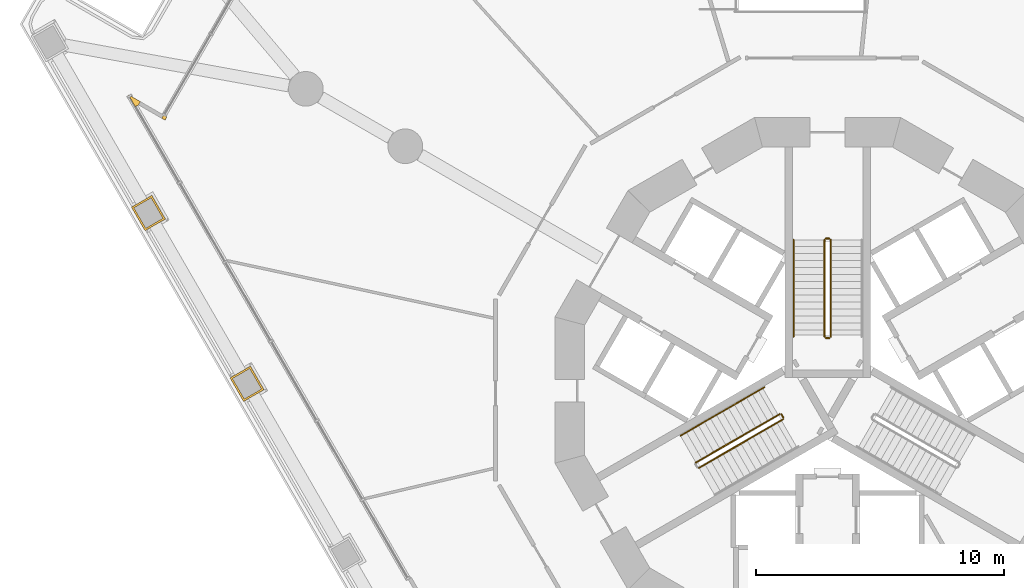
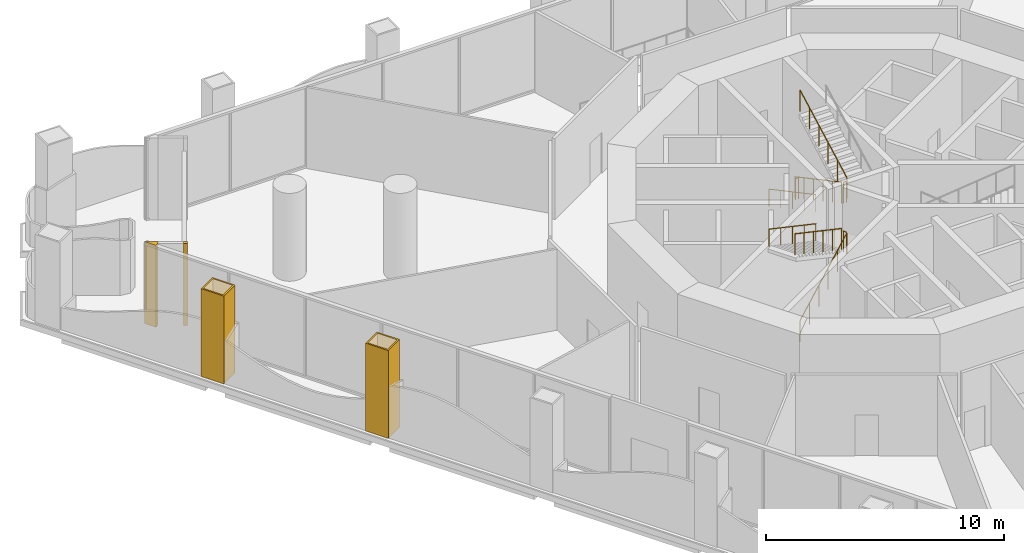
# One storey, part 18 of 21: 10 railings, 4 coverings.
"""IFC4 building model written with IfcOpenShell, lengths in metres."""

from ifc_helpers import new_model, si_unit, direction, frame, origin, origin_2d, place, context, subcontext, project, spatial, polyline, circle, outline, extrude, material, layer, layer_set, type_object, element, save


model = new_model("IFC4")

# Units and contexts
model_context = context("Model", 3, precision=1e-05, world=origin(), true_north=direction((0.0, 1.0)))
body_context = subcontext(model_context, "Body", "Model", "MODEL_VIEW")
ifc_project = project(units=[si_unit("LENGTHUNIT", "METRE"), si_unit("AREAUNIT", "SQUARE_METRE"), si_unit("VOLUMEUNIT", "CUBIC_METRE"), si_unit("PLANEANGLEUNIT", "RADIAN"), si_unit("MASSUNIT", "GRAM", prefix="KILO")], contexts=[model_context])

# Site, building, storey
site_placement = place(None, origin())
site = spatial("IfcSite", under=ifc_project, at=site_placement, CompositionType="ELEMENT")
building_placement = place(site_placement, origin())
building = spatial("IfcBuilding", under=site, at=building_placement, Name="Trine Commons Tower", CompositionType="ELEMENT")
storey_placement = place(building_placement, frame((0.0, 0.0, 27.0)))
storey = spatial("IfcBuildingStorey", under=building, at=storey_placement, Name="L05", CompositionType="ELEMENT", Elevation=27.0)

# Coverings
ifc_material_1 = material(Name="Aluminium-framed insulated wall panel", Category="aluminium")
ifc_layer_1 = layer(ifc_material_1, 0.14990234375)
ifc_layer_set_1 = layer_set([ifc_layer_1], Name="Aluminium-framed insulated wall panel")
covering_type_1 = type_object("IfcCoveringType", Name="Glazing corner post, aluminium", PredefinedType="CLADDING", material=ifc_layer_set_1)
covering_1_placement = place(storey_placement, origin())
element("IfcCovering", 1, at=covering_1_placement, inside=storey, type_object=covering_type_1, Name="Glazing corner post 1-01", PredefinedType="CLADDING", context=body_context, shape_type="SweptSolid", body=[
    extrude(outline(polyline([(51.75634765625, 74.43017578125), (51.75634765625, 74.43017578125), (52.036376953125, 73.9453125), (52.166259765625, 74.020263671875), (52.166259765625, 74.020263671875), (52.166259765625, 74.020263671875), (52.166259765625, 74.020263671875), (52.2412109375, 74.150146484375), (51.75634765625, 74.43017578125)])), origin(), (0.0, 0.0, 1.0), 4.199951171875),
])
covering_2_placement = place(storey_placement, origin())
element("IfcCovering", 2, at=covering_2_placement, inside=storey, type_object=covering_type_1, Name="Glazing corner post 1-02", PredefinedType="CLADDING", context=body_context, shape_type="SweptSolid", body=[
    extrude(outline(polyline([(53.1064453125, 73.4775390625), (53.236328125, 73.402587890625), (53.311279296875, 73.532470703125), (53.181396484375, 73.607421875), (53.1064453125, 73.4775390625)])), origin(), (0.0, 0.0, 1.0), 4.199951171875),
])
ifc_material_2 = material(Name="Limestone, honed", Category="masonry")
ifc_layer_2 = layer(ifc_material_2, 0.074951171875)
ifc_layer_set_2 = layer_set([ifc_layer_2], Name="Limestone, honed")
covering_type_2 = type_object("IfcCoveringType", Name="Limestone column cladding 75", PredefinedType="CLADDING", material=ifc_layer_set_2)
covering_3_placement = place(storey_placement, origin())
element("IfcCovering", 3, at=covering_3_placement, inside=storey, type_object=covering_type_2, Name="Limestone pier cladding 1-06", PredefinedType="CLADDING", context=body_context, shape_type="SweptSolid", body=[
    extrude(outline(polyline([(56.68359375, 63.46630859375), (55.860595703125, 62.9912109375), (56.41064453125, 62.03857421875), (57.2333984375, 62.513671875), (56.68359375, 63.46630859375)]), holes=[polyline([(56.656005859375, 63.36376953125), (55.963134765625, 62.9638671875), (56.438232421875, 62.14111328125), (57.131103515625, 62.541015625), (56.656005859375, 63.36376953125)])]), origin(), (0.0, 0.0, 1.0), 4.5),
])
covering_4_placement = place(storey_placement, origin())
element("IfcCovering", 4, at=covering_4_placement, inside=storey, type_object=covering_type_2, Name="Limestone pier cladding 1-07", PredefinedType="CLADDING", context=body_context, shape_type="SweptSolid", body=[
    extrude(outline(polyline([(52.701904296875, 70.36279296875), (51.87890625, 69.8876953125), (52.428955078125, 68.93505859375), (53.251708984375, 69.41015625), (52.701904296875, 70.36279296875)]), holes=[polyline([(52.67431640625, 70.26025390625), (51.9814453125, 69.8603515625), (52.45654296875, 69.03759765625), (53.1494140625, 69.4375), (52.67431640625, 70.26025390625)])]), origin(), (0.0, 0.0, 1.0), 4.5),
])

# Railings
ifc_material_3 = material(Name="Stainless steel balustrade", Category="steel")
railing_type_1 = type_object("IfcRailingType", Name="Stair guard, steel balustrade 1100", PredefinedType="GUARDRAIL", material=ifc_material_3)
railing_1_placement = place(storey_placement, frame((79.875, 68.570556640625, 0.14990234375)))
element("IfcRailing", 5, at=railing_1_placement, inside=storey, type_object=railing_type_1, Name="L05 ST1A stair guard 1", PredefinedType="GUARDRAIL", context=body_context, shape_type="SweptSolid", body=[
    extrude(circle(Radius=0.02392578125, at=origin_2d()), frame((0.0, 0.0, 1.076171875), z_axis=(0.0, -0.881466911329, 0.472245787945), x_axis=(1.0, 0.0, 0.0)), (0.0, 0.0, 1.0), 4.447021484375),
    extrude(circle(Radius=0.02099609375, at=origin_2d()), origin(), (0.0, 0.0, 1.0), 1.052001953125),
    extrude(circle(Radius=0.02099609375, at=origin_2d()), frame((0.0, -0.783935546875, 0.419921875)), (0.0, 0.0, 1.0), 1.052001953125),
    extrude(circle(Radius=0.02099609375, at=origin_2d()), frame((0.0, -1.56787109375, 0.840087890625)), (0.0, 0.0, 1.0), 1.052001953125),
    extrude(circle(Radius=0.02099609375, at=origin_2d()), frame((0.0, -2.35205078125, 1.260009765625)), (0.0, 0.0, 1.0), 1.052001953125),
    extrude(circle(Radius=0.02099609375, at=origin_2d()), frame((0.0, -3.135986328125, 1.68017578125)), (0.0, 0.0, 1.0), 1.052001953125),
    extrude(circle(Radius=0.02099609375, at=origin_2d()), frame((0.0, -3.919921875, 2.10009765625)), (0.0, 0.0, 1.0), 1.052001953125),
])
railing_2_placement = place(storey_placement, frame((79.925048828125, 64.6005859375, 2.25)))
element("IfcRailing", 6, at=railing_2_placement, inside=storey, type_object=railing_type_1, Name="L05 ST1A stair guard 2", PredefinedType="GUARDRAIL", context=body_context, shape_type="SweptSolid", body=[
    extrude(circle(Radius=0.02392578125, at=origin_2d()), frame((0.0, 0.0, 1.076171875), z_axis=(1.0, 0.0, 0.0), x_axis=(0.0, 1.0, 0.0)), (0.0, 0.0, 1.0), 0.14990234375),
    extrude(circle(Radius=0.02099609375, at=origin_2d()), origin(), (0.0, 0.0, 1.0), 1.052001953125),
    extrude(circle(Radius=0.02099609375, at=origin_2d()), frame((0.14990234375, 0.0, 0.0)), (0.0, 0.0, 1.0), 1.052001953125),
])
railing_3_placement = place(storey_placement, frame((80.125, 64.650634765625, 2.39990234375)))
element("IfcRailing", 7, at=railing_3_placement, inside=storey, type_object=railing_type_1, Name="L05 ST1A stair guard 3", PredefinedType="GUARDRAIL", context=body_context, shape_type="SweptSolid", body=[
    extrude(circle(Radius=0.02392578125, at=origin_2d()), frame((0.0, 0.0, 1.076171875), z_axis=(0.0, 0.881466911329, 0.472245787945), x_axis=(-1.0, 0.0, 0.0)), (0.0, 0.0, 1.0), 4.447021484375),
    extrude(circle(Radius=0.02099609375, at=origin_2d()), origin(), (0.0, 0.0, 1.0), 1.052001953125),
    extrude(circle(Radius=0.02099609375, at=origin_2d()), frame((0.0, 0.783935546875, 0.419921875)), (0.0, 0.0, 1.0), 1.052001953125),
    extrude(circle(Radius=0.02099609375, at=origin_2d()), frame((0.0, 1.56787109375, 0.840087890625)), (0.0, 0.0, 1.0), 1.052001953125),
    extrude(circle(Radius=0.02099609375, at=origin_2d()), frame((0.0, 2.35205078125, 1.260009765625)), (0.0, 0.0, 1.0), 1.052001953125),
    extrude(circle(Radius=0.02099609375, at=origin_2d()), frame((0.0, 3.135986328125, 1.68017578125)), (0.0, 0.0, 1.0), 1.052001953125),
    extrude(circle(Radius=0.02099609375, at=origin_2d()), frame((0.0, 3.919921875, 2.10009765625)), (0.0, 0.0, 1.0), 1.052001953125),
])
railing_4_placement = place(storey_placement, frame((79.925048828125, 68.62060546875, 0.0)))
element("IfcRailing", 8, at=railing_4_placement, inside=storey, type_object=railing_type_1, Name="L05 ST1A stair guard 4", PredefinedType="GUARDRAIL", context=body_context, shape_type="SweptSolid", body=[
    extrude(circle(Radius=0.02392578125, at=origin_2d()), frame((0.0, 0.0, 1.076171875), z_axis=(1.0, 0.0, 0.0), x_axis=(0.0, 1.0, 0.0)), (0.0, 0.0, 1.0), 0.14990234375),
    extrude(circle(Radius=0.02099609375, at=origin_2d()), origin(), (0.0, 0.0, 1.0), 1.052001953125),
    extrude(circle(Radius=0.02099609375, at=origin_2d()), frame((0.14990234375, 0.0, 0.0)), (0.0, 0.0, 1.0), 1.052001953125),
])
railing_5_placement = place(storey_placement, frame((74.80517578125, 59.3564453125, 0.14990234375)))
element("IfcRailing", 9, at=railing_5_placement, inside=storey, type_object=railing_type_1, Name="L05 ST2A stair guard 1", PredefinedType="GUARDRAIL", context=body_context, shape_type="SweptSolid", body=[
    extrude(circle(Radius=0.02392578125, at=origin_2d()), frame((0.0, 0.0, 1.076171875), z_axis=(0.763374939589, 0.440731680332, 0.472243885677), x_axis=(-0.499997407846, 0.86602690036, 0.0)), (0.0, 0.0, 1.0), 4.447021484375),
    extrude(circle(Radius=0.02099609375, at=origin_2d()), origin(), (0.0, 0.0, 1.0), 1.052001953125),
    extrude(circle(Radius=0.02099609375, at=origin_2d()), frame((0.678955078125, 0.39208984375, 0.419921875)), (0.0, 0.0, 1.0), 1.052001953125),
    extrude(circle(Radius=0.02099609375, at=origin_2d()), frame((1.35791015625, 0.783935546875, 0.840087890625)), (0.0, 0.0, 1.0), 1.052001953125),
    extrude(circle(Radius=0.02099609375, at=origin_2d()), frame((2.036865234375, 1.176025390625, 1.260009765625)), (0.0, 0.0, 1.0), 1.052001953125),
    extrude(circle(Radius=0.02099609375, at=origin_2d()), frame((2.7158203125, 1.56787109375, 1.68017578125)), (0.0, 0.0, 1.0), 1.052001953125),
    extrude(circle(Radius=0.02099609375, at=origin_2d()), frame((3.394775390625, 1.9599609375, 2.10009765625)), (0.0, 0.0, 1.0), 1.052001953125),
])
railing_6_placement = place(storey_placement, frame((78.21826171875, 61.384765625, 2.25)))
element("IfcRailing", 10, at=railing_6_placement, inside=storey, type_object=railing_type_1, Name="L05 ST2A stair guard 2", PredefinedType="GUARDRAIL", context=body_context, shape_type="SweptSolid", body=[
    extrude(circle(Radius=0.02392578125, at=origin_2d()), frame((0.0, 0.0, 1.076171875), z_axis=(-0.499816412211, 0.866131372301, 0.0), x_axis=(-0.866131372301, -0.499816412211, 0.0)), (0.0, 0.0, 1.0), 0.14990234375),
    extrude(circle(Radius=0.02099609375, at=origin_2d()), origin(), (0.0, 0.0, 1.0), 1.052001953125),
    extrude(circle(Radius=0.02099609375, at=origin_2d()), frame((-0.074951171875, 0.1298828125, 0.0)), (0.0, 0.0, 1.0), 1.052001953125),
])
railing_7_placement = place(storey_placement, frame((78.074951171875, 61.532958984375, 2.39990234375)))
element("IfcRailing", 11, at=railing_7_placement, inside=storey, type_object=railing_type_1, Name="L05 ST2A stair guard 3", PredefinedType="GUARDRAIL", context=body_context, shape_type="SweptSolid", body=[
    extrude(circle(Radius=0.02392578125, at=origin_2d()), frame((0.0, 0.0, 1.076171875), z_axis=(-0.763374939589, -0.440731680332, 0.472243885677), x_axis=(0.499997407846, -0.86602690036, 0.0)), (0.0, 0.0, 1.0), 4.447021484375),
    extrude(circle(Radius=0.02099609375, at=origin_2d()), origin(), (0.0, 0.0, 1.0), 1.052001953125),
    extrude(circle(Radius=0.02099609375, at=origin_2d()), frame((-0.678955078125, -0.39208984375, 0.419921875)), (0.0, 0.0, 1.0), 1.052001953125),
    extrude(circle(Radius=0.02099609375, at=origin_2d()), frame((-1.35791015625, -0.783935546875, 0.840087890625)), (0.0, 0.0, 1.0), 1.052001953125),
    extrude(circle(Radius=0.02099609375, at=origin_2d()), frame((-2.036865234375, -1.176025390625, 1.260009765625)), (0.0, 0.0, 1.0), 1.052001953125),
    extrude(circle(Radius=0.02099609375, at=origin_2d()), frame((-2.7158203125, -1.56787109375, 1.68017578125)), (0.0, 0.0, 1.0), 1.052001953125),
    extrude(circle(Radius=0.02099609375, at=origin_2d()), frame((-3.394775390625, -1.9599609375, 2.10009765625)), (0.0, 0.0, 1.0), 1.052001953125),
])
ifc_material_4 = material(Name="Stainless steel handrail", Category="steel")
railing_type_2 = type_object("IfcRailingType", Name="Stair handrail, steel 900", PredefinedType="HANDRAIL", material=ifc_material_4)
railing_8_placement = place(storey_placement, frame((78.625, 68.570556640625, 0.14990234375)))
element("IfcRailing", 12, at=railing_8_placement, inside=storey, type_object=railing_type_2, Name="L05 ST1A stair handrail 1", PredefinedType="HANDRAIL", context=body_context, shape_type="SweptSolid", body=[
    extrude(circle(Radius=0.02099609375, at=origin_2d()), frame((0.0, 0.0, 0.87890625), z_axis=(0.0, -0.881466911329, 0.472245787945), x_axis=(1.0, 0.0, 0.0)), (0.0, 0.0, 1.0), 4.447021484375),
    extrude(circle(Radius=0.01513671875, at=origin_2d()), origin(), (0.0, 0.0, 1.0), 0.85791015625),
    extrude(circle(Radius=0.01513671875, at=origin_2d()), frame((0.0, -0.97998046875, 0.52490234375)), (0.0, 0.0, 1.0), 0.85791015625),
    extrude(circle(Radius=0.01513671875, at=origin_2d()), frame((0.0, -1.9599609375, 1.050048828125)), (0.0, 0.0, 1.0), 0.85791015625),
    extrude(circle(Radius=0.01513671875, at=origin_2d()), frame((0.0, -2.93994140625, 1.5751953125)), (0.0, 0.0, 1.0), 0.85791015625),
    extrude(circle(Radius=0.01513671875, at=origin_2d()), frame((0.0, -3.919921875, 2.10009765625)), (0.0, 0.0, 1.0), 0.85791015625),
])
railing_9_placement = place(storey_placement, frame((77.449951171875, 62.615478515625, 2.39990234375)))
element("IfcRailing", 13, at=railing_9_placement, inside=storey, type_object=railing_type_2, Name="L05 ST2A stair handrail 3", PredefinedType="HANDRAIL", context=body_context, shape_type="SweptSolid", body=[
    extrude(circle(Radius=0.02099609375, at=origin_2d()), frame((0.0, 0.0, 0.87890625), z_axis=(-0.763352030933, -0.440750151347, 0.472263677365), x_axis=(0.500024377727, -0.866011328839, 0.0)), (0.0, 0.0, 1.0), 2.223388671875),
    extrude(circle(Radius=0.01513671875, at=origin_2d()), origin(), (0.0, 0.0, 1.0), 0.85791015625),
    extrude(circle(Radius=0.01513671875, at=origin_2d()), frame((-0.8486328125, -0.489990234375, 0.52490234375)), (0.0, 0.0, 1.0), 0.85791015625),
    extrude(circle(Radius=0.01513671875, at=origin_2d()), frame((-1.697265625, -0.97998046875, 1.050048828125)), (0.0, 0.0, 1.0), 0.85791015625),
])
railing_10_placement = place(storey_placement, frame((75.752685546875, 61.635498046875, 3.449951171875)))
element("IfcRailing", 14, at=railing_10_placement, inside=storey, type_object=railing_type_2, Name="L05 ST2A stair handrail 4", PredefinedType="HANDRAIL", context=body_context, shape_type="SweptSolid", body=[
    extrude(circle(Radius=0.02099609375, at=origin_2d()), frame((0.0, 0.0, 0.87890625), z_axis=(-0.763397845365, -0.440713210311, 0.472224095054), x_axis=(0.499970440388, -0.866042469362, 0.0)), (0.0, 0.0, 1.0), 2.2236328125),
    extrude(circle(Radius=0.01513671875, at=origin_2d()), origin(), (0.0, 0.0, 1.0), 0.85791015625),
    extrude(circle(Radius=0.01513671875, at=origin_2d()), frame((-0.8486328125, -0.489990234375, 0.52490234375)), (0.0, 0.0, 1.0), 0.85791015625),
    extrude(circle(Radius=0.01513671875, at=origin_2d()), frame((-1.697509765625, -0.97998046875, 1.050048828125)), (0.0, 0.0, 1.0), 0.85791015625),
])

save(model, "model.ifc")
